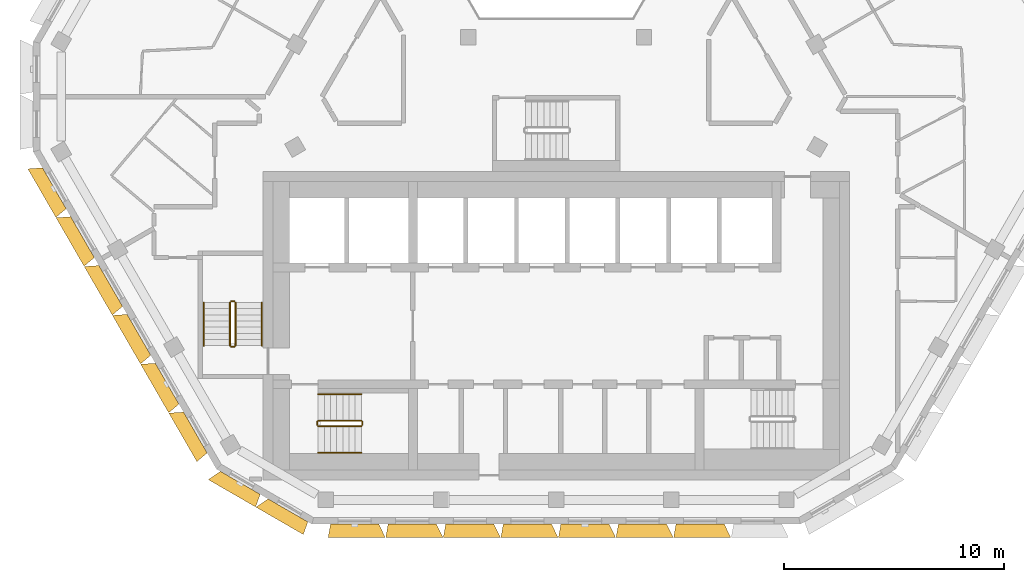
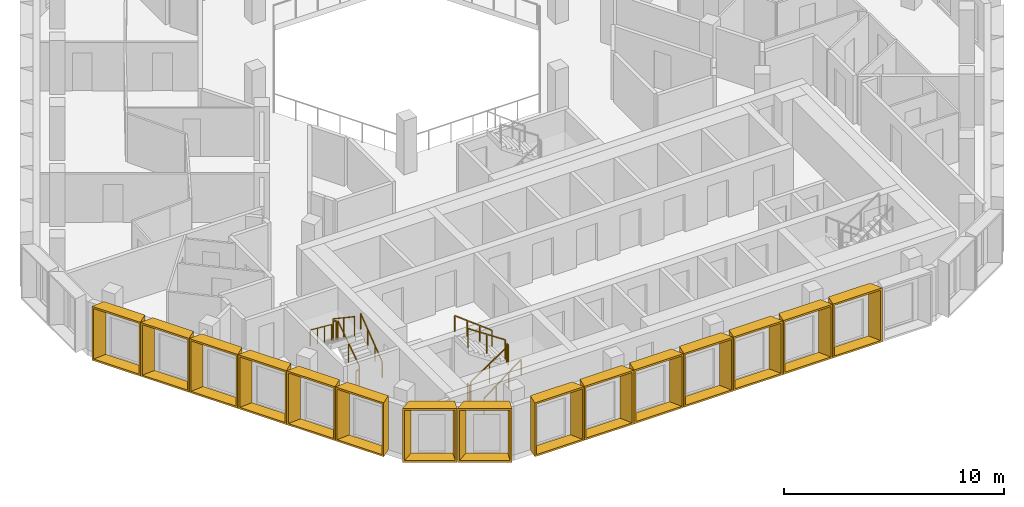
# One storey, part 12 of 16: 15 shading devices, 12 railings.
"""IFC4 building model written with IfcOpenShell, lengths in metres."""

from ifc_helpers import new_model, entity, si_unit, direction, frame, origin, origin_2d, place, context, subcontext, project, spatial, rectangle, extrude, source, transform, mapped, material, type_object, type_shapes, element, save


model = new_model("IFC4")

# Units and contexts
model_context = context("Model", 3, precision=1e-05, world=origin(), true_north=direction((0.0, 1.0)))
body_context = subcontext(model_context, "Body", "Model", "MODEL_VIEW")
ifc_project = project(units=[si_unit("LENGTHUNIT", "METRE"), si_unit("AREAUNIT", "SQUARE_METRE"), si_unit("VOLUMEUNIT", "CUBIC_METRE"), si_unit("PLANEANGLEUNIT", "RADIAN"), si_unit("MASSUNIT", "GRAM", prefix="KILO")], contexts=[model_context])

# Site, building, storey
site_placement = place(None, origin())
site = spatial("IfcSite", under=ifc_project, at=site_placement, CompositionType="ELEMENT")
building_placement = place(site_placement, origin())
building = spatial("IfcBuilding", under=site, at=building_placement, Name="Beryl Residences", CompositionType="ELEMENT")
storey_placement = place(building_placement, frame((0.0, 0.0, 232.800048828125)))
storey = spatial("IfcBuildingStorey", under=building, at=storey_placement, Name="L72", CompositionType="ELEMENT", Elevation=232.800048828125)

# Shading devices
ifc_material_1 = material(Name="Aluminium pale anodised", Category="aluminium")
shading_device_type_1 = type_object("IfcShadingDeviceType", Name="FR250-60B OUTER SKIN frame 600 mm deep, splay 26/10 deg, 2500 x 3000 mm cell", PredefinedType="USERDEFINED", material=ifc_material_1)
cartesian_point_1 = entity("IfcCartesianPoint", [-1.04052734375, 0.0])
cartesian_point_2 = entity("IfcCartesianPoint", [-0.951416015625, 0.10009765625])
cartesian_point_3 = entity("IfcCartesianPoint", [-1.333251953125, 0.0])
cartesian_point_4 = entity("IfcCartesianPoint", [-1.244140625, 0.10009765625])
shared_shape_1 = source(origin(), body_context, "Body", "SweptSolid", [
    entity("IfcExtrudedAreaSolidTapered", entity("IfcArbitraryProfileDefWithVoids", "AREA", None, entity("IfcPolyline", [cartesian_point_1, entity("IfcCartesianPoint", [1.04052734375, 0.0]), entity("IfcCartesianPoint", [1.04052734375, 3.0]), entity("IfcCartesianPoint", [-1.04052734375, 3.0]), cartesian_point_1]), [entity("IfcPolyline", [cartesian_point_2, entity("IfcCartesianPoint", [0.959228515625, 0.10009765625]), entity("IfcCartesianPoint", [0.959228515625, 2.89990234375]), entity("IfcCartesianPoint", [-0.951416015625, 2.89990234375]), cartesian_point_2])]), entity("IfcAxis2Placement3D", entity("IfcCartesianPoint", [0.0, 0.0, 0.0]), entity("IfcDirection", [0.0, 1.0, 0.0]), entity("IfcDirection", [-1.0, 0.0, 0.0])), entity("IfcDirection", [0.0, 0.0, 1.0]), 0.60009765625, entity("IfcArbitraryProfileDefWithVoids", "AREA", None, entity("IfcPolyline", [cartesian_point_3, entity("IfcCartesianPoint", [1.146240234375, 0.0]), entity("IfcCartesianPoint", [1.146240234375, 3.0]), entity("IfcCartesianPoint", [-1.333251953125, 3.0]), cartesian_point_3]), [entity("IfcPolyline", [cartesian_point_4, entity("IfcCartesianPoint", [1.06494140625, 0.10009765625]), entity("IfcCartesianPoint", [1.06494140625, 2.89990234375]), entity("IfcCartesianPoint", [-1.244140625, 2.89990234375]), cartesian_point_4])])),
])
type_shapes(shading_device_type_1, [shared_shape_1])
for number, where, z_axis, x_axis, name in (
    (1, (-14.33203125, -19.125, 0.0), (0.0, 0.0, 1.0), (-0.866025403784, 0.5, 0.0), "FR250-60B frame L72 SW-S 1"),
    (2, (-12.16796875, -20.375, 0.0), (0.0, 0.0, 1.0), (-0.866025403784, 0.5, 0.0), "FR250-60B frame L72 SW-S 2"),
):
    element("IfcShadingDevice", number, at=place(storey_placement, frame(where, z_axis=z_axis, x_axis=x_axis)), inside=storey, type_object=shading_device_type_1, Name=name, ObjectType="OUTER SKIN", PredefinedType="USERDEFINED", context=body_context, shape_type="MappedRepresentation", body=[
        mapped(shared_shape_1, transform((0.0, 0.0, 0.0))),
    ])
ifc_material_2 = material(Name="Aluminium pale anodised", Category="aluminium")
shading_device_type_2 = type_object("IfcShadingDeviceType", Name="FR256-60B OUTER SKIN frame 600 mm deep, splay 26/10 deg, 2560 x 3000 mm cell", PredefinedType="USERDEFINED", material=ifc_material_2)
cartesian_point_5 = entity("IfcCartesianPoint", [-1.070556640625, 0.0])
cartesian_point_6 = entity("IfcCartesianPoint", [-0.9814453125, 0.10009765625])
cartesian_point_7 = entity("IfcCartesianPoint", [-1.363037109375, 0.0])
cartesian_point_8 = entity("IfcCartesianPoint", [-1.274169921875, 0.10009765625])
shared_shape_2 = source(origin(), body_context, "Body", "SweptSolid", [
    entity("IfcExtrudedAreaSolidTapered", entity("IfcArbitraryProfileDefWithVoids", "AREA", None, entity("IfcPolyline", [cartesian_point_5, entity("IfcCartesianPoint", [1.070556640625, 0.0]), entity("IfcCartesianPoint", [1.070556640625, 3.0]), entity("IfcCartesianPoint", [-1.070556640625, 3.0]), cartesian_point_5]), [entity("IfcPolyline", [cartesian_point_6, entity("IfcCartesianPoint", [0.9892578125, 0.10009765625]), entity("IfcCartesianPoint", [0.9892578125, 2.89990234375]), entity("IfcCartesianPoint", [-0.9814453125, 2.89990234375]), cartesian_point_6])]), entity("IfcAxis2Placement3D", entity("IfcCartesianPoint", [0.0, 0.0, 0.0]), entity("IfcDirection", [0.0, 1.0, 0.0]), entity("IfcDirection", [-1.0, 0.0, 0.0])), entity("IfcDirection", [0.0, 0.0, 1.0]), 0.60009765625, entity("IfcArbitraryProfileDefWithVoids", "AREA", None, entity("IfcPolyline", [cartesian_point_7, entity("IfcCartesianPoint", [1.17626953125, 0.0]), entity("IfcCartesianPoint", [1.17626953125, 3.0]), entity("IfcCartesianPoint", [-1.363037109375, 3.0]), cartesian_point_7]), [entity("IfcPolyline", [cartesian_point_8, entity("IfcCartesianPoint", [1.094970703125, 0.10009765625]), entity("IfcCartesianPoint", [1.094970703125, 2.89990234375]), entity("IfcCartesianPoint", [-1.274169921875, 2.89990234375]), cartesian_point_8])])),
])
type_shapes(shading_device_type_2, [shared_shape_2])
for number, where, z_axis, x_axis, name in (
    (3, (-22.77099609375, -5.758056640625, 0.0), (0.0, 0.0, 1.0), (-0.5, 0.866025403784, 0.0), "FR256-60B frame L72 SW 1"),
    (4, (-21.491943359375, -7.97509765625, 0.0), (0.0, 0.0, 1.0), (-0.5, 0.866025403784, 0.0), "FR256-60B frame L72 SW 2"),
    (5, (-20.2119140625, -10.19091796875, 0.0), (0.0, 0.0, 1.0), (-0.5, 0.866025403784, 0.0), "FR256-60B frame L72 SW 3"),
    (6, (-18.931884765625, -12.407958984375, 0.0), (0.0, 0.0, 1.0), (-0.5, 0.866025403784, 0.0), "FR256-60B frame L72 SW 4"),
    (7, (-17.653076171875, -14.6240234375, 0.0), (0.0, 0.0, 1.0), (-0.5, 0.866025403784, 0.0), "FR256-60B frame L72 SW 5"),
    (8, (-16.373046875, -16.841064453125, 0.0), (0.0, 0.0, 1.0), (-0.5, 0.866025403784, 0.0), "FR256-60B frame L72 SW 6"),
):
    element("IfcShadingDevice", number, at=place(storey_placement, frame(where, z_axis=z_axis, x_axis=x_axis)), inside=storey, type_object=shading_device_type_2, Name=name, ObjectType="OUTER SKIN", PredefinedType="USERDEFINED", context=body_context, shape_type="MappedRepresentation", body=[
        mapped(shared_shape_2, transform((0.0, 0.0, 0.0))),
    ])
ifc_material_3 = material(Name="Aluminium pale anodised", Category="aluminium")
shading_device_type_3 = type_object("IfcShadingDeviceType", Name="FR261-60C OUTER SKIN frame 600 mm deep, splay 10/26 deg, 2610 x 3000 mm cell", PredefinedType="USERDEFINED", material=ifc_material_3)
cartesian_point_9 = entity("IfcCartesianPoint", [-1.095458984375, 0.0])
cartesian_point_10 = entity("IfcCartesianPoint", [-1.01416015625, 0.10009765625])
cartesian_point_11 = entity("IfcCartesianPoint", [-1.201416015625, 0.0])
cartesian_point_12 = entity("IfcCartesianPoint", [-1.1201171875, 0.10009765625])
shared_shape_3 = source(origin(), body_context, "Body", "SweptSolid", [
    entity("IfcExtrudedAreaSolidTapered", entity("IfcArbitraryProfileDefWithVoids", "AREA", None, entity("IfcPolyline", [cartesian_point_9, entity("IfcCartesianPoint", [1.095458984375, 0.0]), entity("IfcCartesianPoint", [1.095458984375, 3.0]), entity("IfcCartesianPoint", [-1.095458984375, 3.0]), cartesian_point_9]), [entity("IfcPolyline", [cartesian_point_10, entity("IfcCartesianPoint", [1.006591796875, 0.10009765625]), entity("IfcCartesianPoint", [1.006591796875, 2.89990234375]), entity("IfcCartesianPoint", [-1.01416015625, 2.89990234375]), cartesian_point_10])]), entity("IfcAxis2Placement3D", entity("IfcCartesianPoint", [0.0, 0.0, 0.0]), entity("IfcDirection", [0.0, 1.0, 0.0]), entity("IfcDirection", [-1.0, 0.0, 0.0])), entity("IfcDirection", [0.0, 0.0, 1.0]), 0.60009765625, entity("IfcArbitraryProfileDefWithVoids", "AREA", None, entity("IfcPolyline", [cartesian_point_11, entity("IfcCartesianPoint", [1.38818359375, 0.0]), entity("IfcCartesianPoint", [1.38818359375, 3.0]), entity("IfcCartesianPoint", [-1.201416015625, 3.0]), cartesian_point_11]), [entity("IfcPolyline", [cartesian_point_12, entity("IfcCartesianPoint", [1.299072265625, 0.10009765625]), entity("IfcCartesianPoint", [1.299072265625, 2.89990234375]), entity("IfcCartesianPoint", [-1.1201171875, 2.89990234375]), cartesian_point_12])])),
])
type_shapes(shading_device_type_3, [shared_shape_3])
for number, where, z_axis, x_axis, name in (
    (9, (-9.14404296875, -21.0, 0.0), (0.0, 0.0, 1.0), (-1.0, 0.0, 0.0), "FR261-60C frame L72 S 1"),
    (10, (-6.531005859375, -21.0, 0.0), (0.0, 0.0, 1.0), (-1.0, 0.0, 0.0), "FR261-60C frame L72 S 2"),
    (11, (-3.9189453125, -21.0, 0.0), (0.0, 0.0, 1.0), (-1.0, 0.0, 0.0), "FR261-60C frame L72 S 3"),
    (12, (-1.305908203125, -21.0, 0.0), (0.0, 0.0, 1.0), (-1.0, 0.0, 0.0), "FR261-60C frame L72 S 4"),
    (13, (1.305908203125, -21.0, 0.0), (0.0, 0.0, 1.0), (-1.0, 0.0, 0.0), "FR261-60C frame L72 S 5"),
    (14, (3.9189453125, -21.0, 0.0), (0.0, 0.0, 1.0), (-1.0, 0.0, 0.0), "FR261-60C frame L72 S 6"),
    (15, (6.531005859375, -21.0, 0.0), (0.0, 0.0, 1.0), (-1.0, 0.0, 0.0), "FR261-60C frame L72 S 7"),
):
    element("IfcShadingDevice", number, at=place(storey_placement, frame(where, z_axis=z_axis, x_axis=x_axis)), inside=storey, type_object=shading_device_type_3, Name=name, ObjectType="OUTER SKIN", PredefinedType="USERDEFINED", context=body_context, shape_type="MappedRepresentation", body=[
        mapped(shared_shape_3, transform((0.0, 0.0, 0.0))),
    ])

# Railings
ifc_material_4 = material(Name="Stainless steel balustrade with glass infill", Category="steel")
railing_type_1 = type_object("IfcRailingType", Name="SG1 stair guard 1100 mm", PredefinedType="GUARDRAIL", material=ifc_material_4)
railing_1_placement = place(storey_placement, frame((-10.800048828125, -16.550048828125, 0.1875)))
element("IfcRailing", 16, at=railing_1_placement, inside=storey, type_object=railing_type_1, Name="L72 ST-1 stair guard 1", PredefinedType="GUARDRAIL", context=body_context, shape_type="SweptSolid", body=[
    extrude(rectangle(XDim=0.048095703125, YDim=0.048095703125, at=origin_2d()), frame((0.0, 0.0, 1.076171875), z_axis=(0.830902050051, 0.0, 0.556418712142), x_axis=(0.0, 1.0, 0.0)), (0.0, 0.0, 1.0), 2.35888671875),
    extrude(rectangle(XDim=0.0419921875, YDim=0.0419921875, at=origin_2d()), origin(), (0.0, 0.0, 1.0), 1.052001953125),
    extrude(rectangle(XDim=0.0419921875, YDim=0.0419921875, at=origin_2d()), frame((0.97998046875, 0.0, 0.65625)), (0.0, 0.0, 1.0), 1.052001953125),
    extrude(rectangle(XDim=0.0419921875, YDim=0.0419921875, at=origin_2d()), frame((1.9599609375, 0.0, 1.3125)), (0.0, 0.0, 1.0), 1.052001953125),
])
railing_2_placement = place(storey_placement, frame((-8.7900390625, -16.5, 1.5)))
element("IfcRailing", 17, at=railing_2_placement, inside=storey, type_object=railing_type_1, Name="L72 ST-1 stair guard 2", PredefinedType="GUARDRAIL", context=body_context, shape_type="SweptSolid", body=[
    extrude(rectangle(XDim=0.048095703125, YDim=0.048095703125, at=origin_2d()), frame((0.0, 0.0, 1.076171875), z_axis=(0.0, 1.0, 0.0), x_axis=(-1.0, 0.0, 0.0)), (0.0, 0.0, 1.0), 0.14990234375),
    extrude(rectangle(XDim=0.0419921875, YDim=0.0419921875, at=origin_2d()), origin(), (0.0, 0.0, 1.0), 1.052001953125),
    extrude(rectangle(XDim=0.0419921875, YDim=0.0419921875, at=origin_2d()), frame((0.0, 0.14990234375, 0.0)), (0.0, 0.0, 1.0), 1.052001953125),
])
railing_3_placement = place(storey_placement, frame((-8.840087890625, -16.300048828125, 1.6875)))
element("IfcRailing", 18, at=railing_3_placement, inside=storey, type_object=railing_type_1, Name="L72 ST-1 stair guard 3", PredefinedType="GUARDRAIL", context=body_context, shape_type="SweptSolid", body=[
    extrude(rectangle(XDim=0.048095703125, YDim=0.048095703125, at=origin_2d()), frame((0.0, 0.0, 1.076171875), z_axis=(-0.830902050051, 0.0, 0.556418712142), x_axis=(0.0, -1.0, 0.0)), (0.0, 0.0, 1.0), 2.35888671875),
    extrude(rectangle(XDim=0.0419921875, YDim=0.0419921875, at=origin_2d()), origin(), (0.0, 0.0, 1.0), 1.052001953125),
    extrude(rectangle(XDim=0.0419921875, YDim=0.0419921875, at=origin_2d()), frame((-0.97998046875, 0.0, 0.65625)), (0.0, 0.0, 1.0), 1.052001953125),
    extrude(rectangle(XDim=0.0419921875, YDim=0.0419921875, at=origin_2d()), frame((-1.9599609375, 0.0, 1.3125)), (0.0, 0.0, 1.0), 1.052001953125),
])
railing_4_placement = place(storey_placement, frame((-10.85009765625, -16.5, 0.0)))
element("IfcRailing", 19, at=railing_4_placement, inside=storey, type_object=railing_type_1, Name="L72 ST-1 stair guard 4", PredefinedType="GUARDRAIL", context=body_context, shape_type="SweptSolid", body=[
    extrude(rectangle(XDim=0.048095703125, YDim=0.048095703125, at=origin_2d()), frame((0.0, 0.0, 1.076171875), z_axis=(0.0, 1.0, 0.0), x_axis=(-1.0, 0.0, 0.0)), (0.0, 0.0, 1.0), 0.14990234375),
    extrude(rectangle(XDim=0.0419921875, YDim=0.0419921875, at=origin_2d()), origin(), (0.0, 0.0, 1.0), 1.052001953125),
    extrude(rectangle(XDim=0.0419921875, YDim=0.0419921875, at=origin_2d()), frame((0.0, 0.14990234375, 0.0)), (0.0, 0.0, 1.0), 1.052001953125),
])
railing_5_placement = place(storey_placement, frame((-14.550048828125, -12.89990234375, 0.1875)))
element("IfcRailing", 20, at=railing_5_placement, inside=storey, type_object=railing_type_1, Name="L72 ST-2 stair guard 1", PredefinedType="GUARDRAIL", context=body_context, shape_type="SweptSolid", body=[
    extrude(rectangle(XDim=0.048095703125, YDim=0.048095703125, at=origin_2d()), frame((0.0, 0.0, 1.076171875), z_axis=(0.0, 0.830902050051, 0.556418712142), x_axis=(-1.0, 0.0, 0.0)), (0.0, 0.0, 1.0), 2.35888671875),
    extrude(rectangle(XDim=0.0419921875, YDim=0.0419921875, at=origin_2d()), origin(), (0.0, 0.0, 1.0), 1.052001953125),
    extrude(rectangle(XDim=0.0419921875, YDim=0.0419921875, at=origin_2d()), frame((0.0, 0.97998046875, 0.65625)), (0.0, 0.0, 1.0), 1.052001953125),
    extrude(rectangle(XDim=0.0419921875, YDim=0.0419921875, at=origin_2d()), frame((0.0, 1.9599609375, 1.3125)), (0.0, 0.0, 1.0), 1.052001953125),
])
railing_6_placement = place(storey_placement, frame((-14.60009765625, -10.889892578125, 1.5)))
element("IfcRailing", 21, at=railing_6_placement, inside=storey, type_object=railing_type_1, Name="L72 ST-2 stair guard 2", PredefinedType="GUARDRAIL", context=body_context, shape_type="SweptSolid", body=[
    extrude(rectangle(XDim=0.048095703125, YDim=0.048095703125, at=origin_2d()), frame((0.0, 0.0, 1.076171875), z_axis=(-1.0, 0.0, 0.0), x_axis=(0.0, -1.0, 0.0)), (0.0, 0.0, 1.0), 0.14990234375),
    extrude(rectangle(XDim=0.0419921875, YDim=0.0419921875, at=origin_2d()), origin(), (0.0, 0.0, 1.0), 1.052001953125),
    extrude(rectangle(XDim=0.0419921875, YDim=0.0419921875, at=origin_2d()), frame((-0.14990234375, 0.0, 0.0)), (0.0, 0.0, 1.0), 1.052001953125),
])
railing_7_placement = place(storey_placement, frame((-14.800048828125, -10.93994140625, 1.6875)))
element("IfcRailing", 22, at=railing_7_placement, inside=storey, type_object=railing_type_1, Name="L72 ST-2 stair guard 3", PredefinedType="GUARDRAIL", context=body_context, shape_type="SweptSolid", body=[
    extrude(rectangle(XDim=0.048095703125, YDim=0.048095703125, at=origin_2d()), frame((0.0, 0.0, 1.076171875), z_axis=(0.0, -0.830902050051, 0.556418712142), x_axis=(1.0, 0.0, 0.0)), (0.0, 0.0, 1.0), 2.35888671875),
    extrude(rectangle(XDim=0.0419921875, YDim=0.0419921875, at=origin_2d()), origin(), (0.0, 0.0, 1.0), 1.052001953125),
    extrude(rectangle(XDim=0.0419921875, YDim=0.0419921875, at=origin_2d()), frame((0.0, -0.97998046875, 0.65625)), (0.0, 0.0, 1.0), 1.052001953125),
    extrude(rectangle(XDim=0.0419921875, YDim=0.0419921875, at=origin_2d()), frame((0.0, -1.9599609375, 1.3125)), (0.0, 0.0, 1.0), 1.052001953125),
])
railing_8_placement = place(storey_placement, frame((-14.60009765625, -12.949951171875, 0.0)))
element("IfcRailing", 23, at=railing_8_placement, inside=storey, type_object=railing_type_1, Name="L72 ST-2 stair guard 4", PredefinedType="GUARDRAIL", context=body_context, shape_type="SweptSolid", body=[
    extrude(rectangle(XDim=0.048095703125, YDim=0.048095703125, at=origin_2d()), frame((0.0, 0.0, 1.076171875), z_axis=(-1.0, 0.0, 0.0), x_axis=(0.0, -1.0, 0.0)), (0.0, 0.0, 1.0), 0.14990234375),
    extrude(rectangle(XDim=0.0419921875, YDim=0.0419921875, at=origin_2d()), origin(), (0.0, 0.0, 1.0), 1.052001953125),
    extrude(rectangle(XDim=0.0419921875, YDim=0.0419921875, at=origin_2d()), frame((-0.14990234375, 0.0, 0.0)), (0.0, 0.0, 1.0), 1.052001953125),
])
ifc_material_5 = material(Name="Stainless steel handrail", Category="steel")
railing_type_2 = type_object("IfcRailingType", Name="SRL1 stair handrail 900 mm", PredefinedType="HANDRAIL", material=ifc_material_5)
railing_9_placement = place(storey_placement, frame((-10.800048828125, -17.75, 0.1875)))
element("IfcRailing", 24, at=railing_9_placement, inside=storey, type_object=railing_type_2, Name="L72 ST-1 stair handrail 1", PredefinedType="HANDRAIL", context=body_context, shape_type="SweptSolid", body=[
    extrude(rectangle(XDim=0.048095703125, YDim=0.048095703125, at=origin_2d()), frame((0.0, 0.0, 0.8759765625), z_axis=(0.794121922505, 0.0, 0.607758481798), x_axis=(0.0, 1.0, 0.0)), (0.0, 0.0, 1.0), 2.468017578125),
    extrude(rectangle(XDim=0.0419921875, YDim=0.0419921875, at=origin_2d()), origin(), (0.0, 0.0, 1.0), 0.851806640625),
    extrude(rectangle(XDim=0.0419921875, YDim=0.0419921875, at=origin_2d()), frame((0.6533203125, 0.0, 0.5)), (0.0, 0.0, 1.0), 0.851806640625),
    extrude(rectangle(XDim=0.0419921875, YDim=0.0419921875, at=origin_2d()), frame((1.306640625, 0.0, 1.0)), (0.0, 0.0, 1.0), 0.851806640625),
    extrude(rectangle(XDim=0.0419921875, YDim=0.0419921875, at=origin_2d()), frame((1.9599609375, 0.0, 1.5)), (0.0, 0.0, 1.0), 0.851806640625),
])
railing_10_placement = place(storey_placement, frame((-8.840087890625, -15.10009765625, 1.6875)))
element("IfcRailing", 25, at=railing_10_placement, inside=storey, type_object=railing_type_2, Name="L72 ST-1 stair handrail 2", PredefinedType="HANDRAIL", context=body_context, shape_type="SweptSolid", body=[
    extrude(rectangle(XDim=0.048095703125, YDim=0.048095703125, at=origin_2d()), frame((0.0, 0.0, 0.8759765625), z_axis=(-0.794121922505, 0.0, 0.607758481798), x_axis=(0.0, -1.0, 0.0)), (0.0, 0.0, 1.0), 2.468017578125),
    extrude(rectangle(XDim=0.0419921875, YDim=0.0419921875, at=origin_2d()), origin(), (0.0, 0.0, 1.0), 0.851806640625),
    extrude(rectangle(XDim=0.0419921875, YDim=0.0419921875, at=origin_2d()), frame((-0.6533203125, 0.0, 0.5)), (0.0, 0.0, 1.0), 0.851806640625),
    extrude(rectangle(XDim=0.0419921875, YDim=0.0419921875, at=origin_2d()), frame((-1.306640625, 0.0, 1.0)), (0.0, 0.0, 1.0), 0.851806640625),
    extrude(rectangle(XDim=0.0419921875, YDim=0.0419921875, at=origin_2d()), frame((-1.9599609375, 0.0, 1.5)), (0.0, 0.0, 1.0), 0.851806640625),
])
railing_11_placement = place(storey_placement, frame((-13.35009765625, -12.89990234375, 0.1875)))
element("IfcRailing", 26, at=railing_11_placement, inside=storey, type_object=railing_type_2, Name="L72 ST-2 stair handrail 1", PredefinedType="HANDRAIL", context=body_context, shape_type="SweptSolid", body=[
    extrude(rectangle(XDim=0.048095703125, YDim=0.048095703125, at=origin_2d()), frame((0.0, 0.0, 0.8759765625), z_axis=(0.0, 0.794121922505, 0.607758481798), x_axis=(-1.0, 0.0, 0.0)), (0.0, 0.0, 1.0), 2.468017578125),
    extrude(rectangle(XDim=0.0419921875, YDim=0.0419921875, at=origin_2d()), origin(), (0.0, 0.0, 1.0), 0.851806640625),
    extrude(rectangle(XDim=0.0419921875, YDim=0.0419921875, at=origin_2d()), frame((0.0, 0.6533203125, 0.5)), (0.0, 0.0, 1.0), 0.851806640625),
    extrude(rectangle(XDim=0.0419921875, YDim=0.0419921875, at=origin_2d()), frame((0.0, 1.306640625, 1.0)), (0.0, 0.0, 1.0), 0.851806640625),
    extrude(rectangle(XDim=0.0419921875, YDim=0.0419921875, at=origin_2d()), frame((0.0, 1.9599609375, 1.5)), (0.0, 0.0, 1.0), 0.851806640625),
])
railing_12_placement = place(storey_placement, frame((-16.0, -10.93994140625, 1.6875)))
element("IfcRailing", 27, at=railing_12_placement, inside=storey, type_object=railing_type_2, Name="L72 ST-2 stair handrail 2", PredefinedType="HANDRAIL", context=body_context, shape_type="SweptSolid", body=[
    extrude(rectangle(XDim=0.048095703125, YDim=0.048095703125, at=origin_2d()), frame((0.0, 0.0, 0.8759765625), z_axis=(0.0, -0.794121922505, 0.607758481798), x_axis=(1.0, 0.0, 0.0)), (0.0, 0.0, 1.0), 2.468017578125),
    extrude(rectangle(XDim=0.0419921875, YDim=0.0419921875, at=origin_2d()), origin(), (0.0, 0.0, 1.0), 0.851806640625),
    extrude(rectangle(XDim=0.0419921875, YDim=0.0419921875, at=origin_2d()), frame((0.0, -0.6533203125, 0.5)), (0.0, 0.0, 1.0), 0.851806640625),
    extrude(rectangle(XDim=0.0419921875, YDim=0.0419921875, at=origin_2d()), frame((0.0, -1.306640625, 1.0)), (0.0, 0.0, 1.0), 0.851806640625),
    extrude(rectangle(XDim=0.0419921875, YDim=0.0419921875, at=origin_2d()), frame((0.0, -1.9599609375, 1.5)), (0.0, 0.0, 1.0), 0.851806640625),
])

save(model, "model.ifc")
